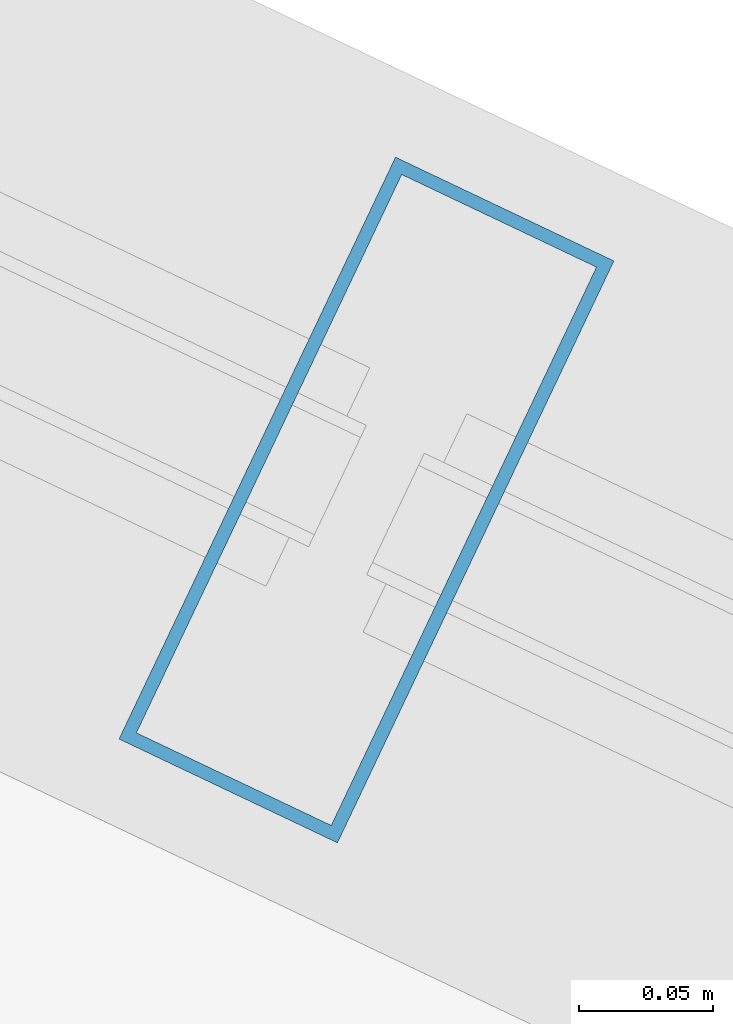
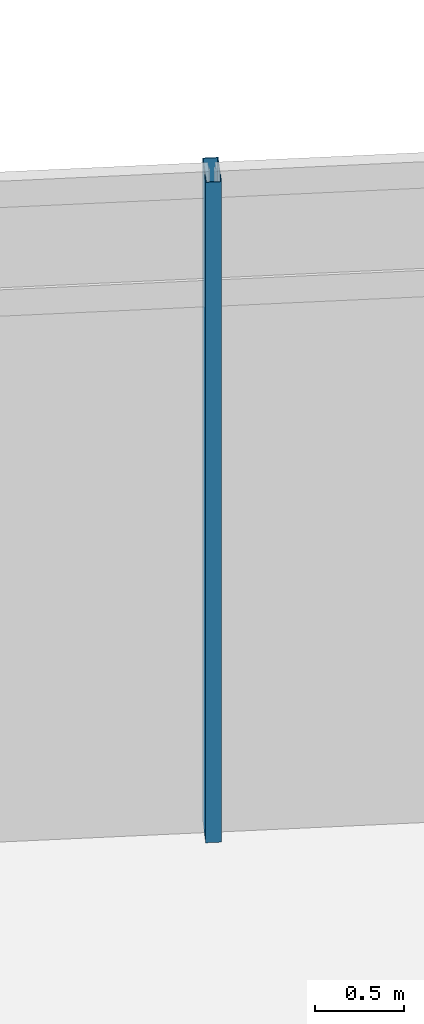
# One storey, part 19 of 86: 1 member, 1 element without a shape of its own.
"""IFC4 building model written with IfcOpenShell, lengths in metres."""

from ifc_helpers import new_model, si_unit, direction, frame, origin, origin_2d, place, context, subcontext, project, spatial, hollow_rectangle, extrude, material, layer, layer_set, material_profile, profile_set, type_object, element, aggregate, save


model = new_model("IFC4")

# Units and contexts
model_context = context("Model", 3, precision=1e-05, world=origin(), true_north=direction((0.0, 1.0)))
body_context = subcontext(model_context, "Body", "Model", "MODEL_VIEW")
ifc_project = project(units=[si_unit("LENGTHUNIT", "METRE"), si_unit("AREAUNIT", "SQUARE_METRE"), si_unit("VOLUMEUNIT", "CUBIC_METRE"), si_unit("PLANEANGLEUNIT", "RADIAN"), si_unit("MASSUNIT", "GRAM", prefix="KILO")], contexts=[model_context])

# Site, building, storey
site_placement = place(None, origin())
site = spatial("IfcSite", under=ifc_project, at=site_placement, CompositionType="ELEMENT")
building_placement = place(site_placement, origin())
building = spatial("IfcBuilding", under=site, at=building_placement, Name="Kazemori Nagisa Stadium", CompositionType="ELEMENT")
storey_placement = place(building_placement, frame((0.0, 0.0, 31.280029296875)))
storey = spatial("IfcBuildingStorey", under=building, at=storey_placement, Name="L06", CompositionType="ELEMENT", Elevation=31.280029296875)

# Curtain wall, member
ifc_material_1 = material(Name="Anodised aluminium 6063-T5", Category="aluminium")
ifc_layer = layer(ifc_material_1, 0.239990234375, Name="Anodised aluminium 6063-T5", Category="aluminium")
ifc_layer_set = layer_set([ifc_layer], Name="Anodised aluminium 6063-T5")
curtain_wall_type = type_object("IfcCurtainWallType", Name="CW_L06G_92", PredefinedType="USERDEFINED", material=ifc_layer_set)
curtain_wall_placement = place(storey_placement, origin())
curtain_wall = element("IfcCurtainWall", 1, at=curtain_wall_placement, inside=storey, type_object=curtain_wall_type, Name="Unitised curtain wall CW-L06G-92 L06", ObjectType="UNITISED CURTAIN WALL", PredefinedType="USERDEFINED")
ifc_material_2 = material(Name="Aluminium 6063-T5 anodised", Category="aluminium")
ifc_material_profile = material_profile(ifc_material_2, hollow_rectangle(XDim=0.090087890625, YDim=0.239990234375, WallThickness=0.0048828125, at=origin_2d()), Name="ALU-MULL-90x240x5")
ifc_profile_set = profile_set([ifc_material_profile], Name="Aluminium 6063-T5 anodised")
member_type = type_object("IfcMemberType", Name="Mullion_M03", PredefinedType="MULLION", material=ifc_profile_set)
member_placement = place(storey_placement, frame((74.925537109375, 38.15234375, 0.0), z_axis=(0.0, 0.0, 1.0), x_axis=(0.903215892654, -0.429186499388, 0.0)))
member = element("IfcMember", 2, at=member_placement, type_object=member_type, Name="Curtain wall mullion CW-L06G-92-M2", PredefinedType="MULLION", context=body_context, shape_type="SweptSolid", body=[
    extrude(hollow_rectangle(XDim=0.090087890625, YDim=0.239990234375, WallThickness=0.0048828125, at=origin_2d()), origin(), (0.0, 0.0, 1.0), 4.510009765625),
])
aggregate(curtain_wall, [member])

save(model, "model.ifc")
